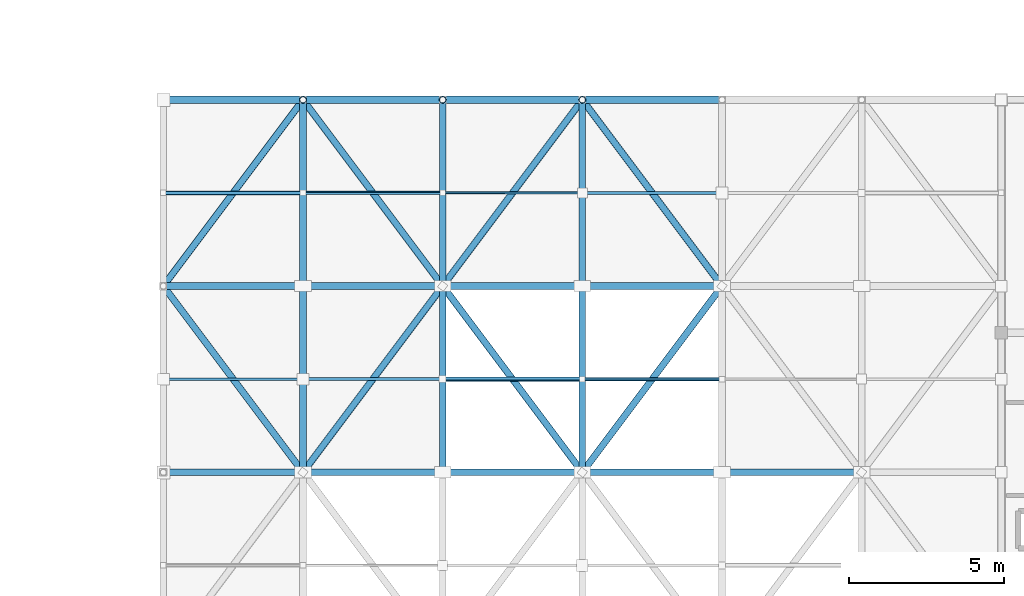
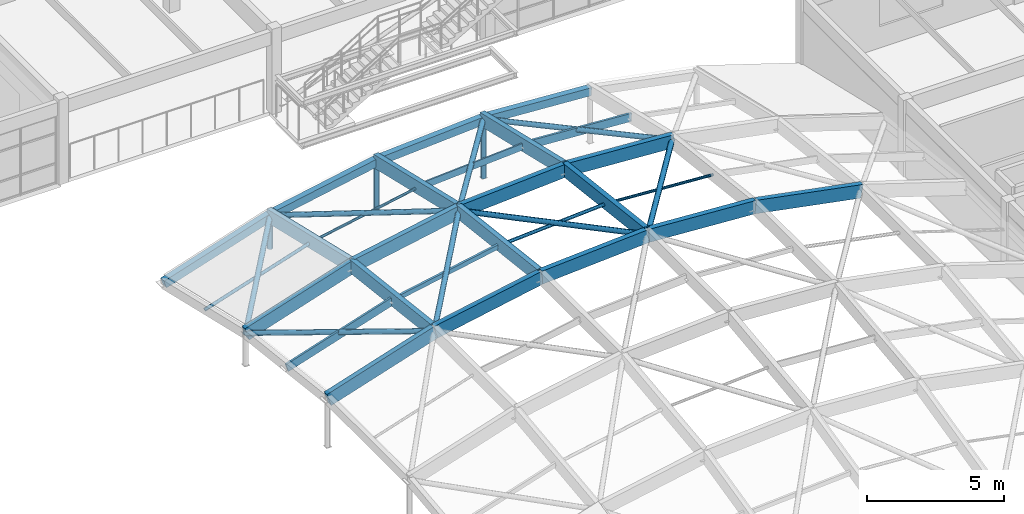
# One storey, part 17 of 81: 38 members.
"""IFC4 building model written with IfcOpenShell, lengths in metres."""

from ifc_helpers import new_model, si_unit, direction, frame, origin, origin_2d, place, context, subcontext, project, spatial, rectangle, hollow_rectangle, hollow_circle, extrude, material, material_profile, profile_set, type_object, element, save


model = new_model("IFC4")

# Units and contexts
model_context = context("Model", 3, precision=1e-05, world=origin(), true_north=direction((0.0, 1.0)))
body_context = subcontext(model_context, "Body", "Model", "MODEL_VIEW")
ifc_project = project(units=[si_unit("LENGTHUNIT", "METRE"), si_unit("AREAUNIT", "SQUARE_METRE"), si_unit("VOLUMEUNIT", "CUBIC_METRE"), si_unit("PLANEANGLEUNIT", "RADIAN"), si_unit("MASSUNIT", "GRAM", prefix="KILO")], contexts=[model_context])

# Site, building, storey
site_placement = place(None, origin())
site = spatial("IfcSite", under=ifc_project, at=site_placement, CompositionType="ELEMENT")
building_placement = place(site_placement, origin())
building = spatial("IfcBuilding", under=site, at=building_placement, Name="Marnridge Secondary College", CompositionType="ELEMENT")
storey_placement = place(building_placement, frame((0.0, 0.0, 8.5)))
storey = spatial("IfcBuildingStorey", under=building, at=storey_placement, Name="L02", CompositionType="ELEMENT", Elevation=8.5)

# Members
ifc_material_1 = material(Name="Cold-formed steel Grade C350L0 (AS/NZS 1163, fy = 350 MPa)", Category="steel")
ifc_material_profile_1 = material_profile(ifc_material_1, hollow_circle(Radius=0.109619140625, WallThickness=0.00830078125, at=origin_2d()), Name="219.1x8.2CHS")
ifc_profile_set_1 = profile_set([ifc_material_profile_1], Name="Cold-formed steel Grade C350L0 (AS/NZS 1163, fy = 350 MPa)")
member_type_1 = type_object("IfcMemberType", Name="MB-GS-CHS219", PredefinedType="BRACE", material=ifc_profile_set_1)
member_1_placement = place(storey_placement, frame((67.5, 30.0, -0.010009765625), z_axis=(0.0, 0.0, 1.0), x_axis=(1.0, 0.0, 0.0)))
element("IfcMember", 1, at=member_1_placement, inside=storey, type_object=member_type_1, Name="Gridshell boundary post GSP-0070", PredefinedType="BRACE", context=body_context, shape_type="SweptSolid", body=[
    extrude(hollow_circle(Radius=0.109619140625, WallThickness=0.00830078125, at=origin_2d()), origin(), (0.0, 0.0, 1.0), 1.474365234375),
])
member_2_placement = place(storey_placement, frame((72.0, 30.0, -0.010009765625), z_axis=(0.0, 0.0, 1.0), x_axis=(1.0, 0.0, 0.0)))
element("IfcMember", 2, at=member_2_placement, inside=storey, type_object=member_type_1, Name="Gridshell boundary post GSP-0072", PredefinedType="BRACE", context=body_context, shape_type="SweptSolid", body=[
    extrude(hollow_circle(Radius=0.109619140625, WallThickness=0.00830078125, at=origin_2d()), origin(), (0.0, 0.0, 1.0), 2.341064453125),
])
member_3_placement = place(storey_placement, frame((76.5, 30.0, -0.010009765625), z_axis=(0.0, 0.0, 1.0), x_axis=(1.0, 0.0, 0.0)))
element("IfcMember", 3, at=member_3_placement, inside=storey, type_object=member_type_1, Name="Gridshell boundary post GSP-0074", PredefinedType="BRACE", context=body_context, shape_type="SweptSolid", body=[
    extrude(hollow_circle(Radius=0.109619140625, WallThickness=0.00830078125, at=origin_2d()), origin(), (0.0, 0.0, 1.0), 2.630126953125),
])
member_4_placement = place(storey_placement, frame((67.5, 18.0, 3.556396484375), z_axis=(-0.576800867191, 0.769067822921, -0.275382358468), x_axis=(-0.8, -0.6, 0.0)))
element("IfcMember", 4, at=member_4_placement, inside=storey, type_object=member_type_1, Name="Gridshell member GR-0214", PredefinedType="BRACE", context=body_context, shape_type="SweptSolid", body=[
    extrude(hollow_circle(Radius=0.109619140625, WallThickness=0.00830078125, at=origin_2d()), origin(), (0.0, 0.0, 1.0), 7.8017578125),
])
member_5_placement = place(storey_placement, frame((63.0, 24.0, 1.407958984375), z_axis=(0.599992942617, 0.799990590156, 0.004850203366), x_axis=(-0.8, 0.6, 0.0)))
element("IfcMember", 5, at=member_5_placement, inside=storey, type_object=member_type_1, Name="Gridshell member GR-0215", PredefinedType="BRACE", context=body_context, shape_type="SweptSolid", body=[
    extrude(hollow_circle(Radius=0.109619140625, WallThickness=0.00830078125, at=origin_2d()), origin(), (0.0, 0.0, 1.0), 7.5),
])
member_6_placement = place(storey_placement, frame((67.5, 18.0, 3.556396484375), z_axis=(0.59985904703, 0.799812062707, 0.021674594473), x_axis=(-0.8, 0.6, 0.0)))
element("IfcMember", 6, at=member_6_placement, inside=storey, type_object=member_type_1, Name="Gridshell member GR-0219", PredefinedType="BRACE", context=body_context, shape_type="SweptSolid", body=[
    extrude(hollow_circle(Radius=0.109619140625, WallThickness=0.00830078125, at=origin_2d()), origin(), (0.0, 0.0, 1.0), 7.501708984375),
])
member_7_placement = place(storey_placement, frame((72.0, 24.0, 3.718994140625), z_axis=(-0.574173598669, 0.765564798225, -0.290233041384), x_axis=(-0.8, -0.6, 0.0)))
element("IfcMember", 7, at=member_7_placement, inside=storey, type_object=member_type_1, Name="Gridshell member GR-0220", PredefinedType="BRACE", context=body_context, shape_type="SweptSolid", body=[
    extrude(hollow_circle(Radius=0.109619140625, WallThickness=0.00830078125, at=origin_2d()), origin(), (0.0, 0.0, 1.0), 7.83740234375),
])
member_8_placement = place(storey_placement, frame((76.5, 18.0, 4.7119140625), z_axis=(-0.594810044375, 0.793080059166, -0.131244165065), x_axis=(-0.8, -0.6, 0.0)))
element("IfcMember", 8, at=member_8_placement, inside=storey, type_object=member_type_1, Name="Gridshell member GR-0224", PredefinedType="BRACE", context=body_context, shape_type="SweptSolid", body=[
    extrude(hollow_circle(Radius=0.109619140625, WallThickness=0.00830078125, at=origin_2d()), origin(), (0.0, 0.0, 1.0), 7.5654296875),
])
member_9_placement = place(storey_placement, frame((72.0, 24.0, 3.718994140625), z_axis=(0.593432470186, 0.791243293582, -0.147553223246), x_axis=(-0.8, 0.6, 0.0)))
element("IfcMember", 9, at=member_9_placement, inside=storey, type_object=member_type_1, Name="Gridshell member GR-0225", PredefinedType="BRACE", context=body_context, shape_type="SweptSolid", body=[
    extrude(hollow_circle(Radius=0.109619140625, WallThickness=0.00830078125, at=origin_2d()), origin(), (0.0, 0.0, 1.0), 7.5830078125),
])
member_10_placement = place(storey_placement, frame((76.5, 18.0, 4.7119140625), z_axis=(0.594810044375, 0.793080059166, -0.131244165065), x_axis=(-0.8, 0.6, 0.0)))
element("IfcMember", 10, at=member_10_placement, inside=storey, type_object=member_type_1, Name="Gridshell member GR-0229", PredefinedType="BRACE", context=body_context, shape_type="SweptSolid", body=[
    extrude(hollow_circle(Radius=0.109619140625, WallThickness=0.00830078125, at=origin_2d()), origin(), (0.0, 0.0, 1.0), 7.5654296875),
])
member_11_placement = place(storey_placement, frame((81.0, 24.0, 3.718994140625), z_axis=(-0.593432470186, 0.791243293582, -0.147553223246), x_axis=(-0.8, -0.6, 0.0)))
element("IfcMember", 11, at=member_11_placement, inside=storey, type_object=member_type_1, Name="Gridshell member GR-0230", PredefinedType="BRACE", context=body_context, shape_type="SweptSolid", body=[
    extrude(hollow_circle(Radius=0.109619140625, WallThickness=0.00830078125, at=origin_2d()), origin(), (0.0, 0.0, 1.0), 7.5830078125),
])
ifc_material_2 = material(Name="Glulam timber GL18", Category="wood")
ifc_material_profile_2 = material_profile(ifc_material_2, rectangle(XDim=0.215087890625, YDim=0.5849609375, at=origin_2d()), Name="GL18 215x585")
ifc_profile_set_2 = profile_set([ifc_material_profile_2], Name="Glulam timber GL18")
member_type_2 = type_object("IfcMemberType", Name="MB-GS-GL585", PredefinedType="CHORD", material=ifc_profile_set_2)
member_12_placement = place(storey_placement, frame((67.5, 18.0, 3.556396484375), z_axis=(0.0, 0.993184767812, -0.116550491145), x_axis=(-1.0, 0.0, 0.0)))
element("IfcMember", 12, at=member_12_placement, inside=storey, type_object=member_type_2, Name="Gridshell member GR-0148", PredefinedType="CHORD", context=body_context, shape_type="SweptSolid", body=[
    extrude(rectangle(XDim=0.215087890625, YDim=0.5849609375, at=origin_2d()), origin(), (0.0, 0.0, 1.0), 6.041259765625),
])
member_13_placement = place(storey_placement, frame((67.5, 24.0, 2.852294921875), z_axis=(0.0, 0.973554667504, -0.228454173482), x_axis=(-1.0, 0.0, 0.0)))
element("IfcMember", 13, at=member_13_placement, inside=storey, type_object=member_type_2, Name="Gridshell member GR-0149", PredefinedType="CHORD", context=body_context, shape_type="SweptSolid", body=[
    extrude(rectangle(XDim=0.215087890625, YDim=0.5849609375, at=origin_2d()), origin(), (0.0, 0.0, 1.0), 6.1630859375),
])
member_14_placement = place(storey_placement, frame((72.0, 18.0, 4.423095703125), z_axis=(0.0, 0.993184767812, -0.116550491145), x_axis=(-1.0, 0.0, 0.0)))
element("IfcMember", 14, at=member_14_placement, inside=storey, type_object=member_type_2, Name="Gridshell member GR-0153", PredefinedType="CHORD", context=body_context, shape_type="SweptSolid", body=[
    extrude(rectangle(XDim=0.215087890625, YDim=0.5849609375, at=origin_2d()), origin(), (0.0, 0.0, 1.0), 6.041259765625),
])
member_15_placement = place(storey_placement, frame((72.0, 24.0, 3.718994140625), z_axis=(0.0, 0.973554667504, -0.228454173482), x_axis=(-1.0, 0.0, 0.0)))
element("IfcMember", 15, at=member_15_placement, inside=storey, type_object=member_type_2, Name="Gridshell member GR-0154", PredefinedType="CHORD", context=body_context, shape_type="SweptSolid", body=[
    extrude(rectangle(XDim=0.215087890625, YDim=0.5849609375, at=origin_2d()), origin(), (0.0, 0.0, 1.0), 6.1630859375),
])
member_16_placement = place(storey_placement, frame((76.5, 18.0, 4.7119140625), z_axis=(0.0, 0.993189445064, -0.116510627039), x_axis=(-1.0, 0.0, 0.0)))
element("IfcMember", 16, at=member_16_placement, inside=storey, type_object=member_type_2, Name="Gridshell member GR-0158", PredefinedType="CHORD", context=body_context, shape_type="SweptSolid", body=[
    extrude(rectangle(XDim=0.215087890625, YDim=0.5849609375, at=origin_2d()), origin(), (0.0, 0.0, 1.0), 6.041259765625),
])
member_17_placement = place(storey_placement, frame((76.5, 24.0, 4.008056640625), z_axis=(0.0, 0.973554667504, -0.228454173482), x_axis=(-1.0, 0.0, 0.0)))
element("IfcMember", 17, at=member_17_placement, inside=storey, type_object=member_type_2, Name="Gridshell member GR-0159", PredefinedType="CHORD", context=body_context, shape_type="SweptSolid", body=[
    extrude(rectangle(XDim=0.215087890625, YDim=0.5849609375, at=origin_2d()), origin(), (0.0, 0.0, 1.0), 6.1630859375),
])
member_18_placement = place(storey_placement, frame((63.0, 18.0, 2.112060546875), z_axis=(0.952157472021, 0.0, 0.305607834444), x_axis=(0.0, 1.0, 0.0)))
element("IfcMember", 18, at=member_18_placement, inside=storey, type_object=member_type_2, Name="Gridshell member GR-0193", PredefinedType="CHORD", context=body_context, shape_type="SweptSolid", body=[
    extrude(rectangle(XDim=0.215087890625, YDim=0.5849609375, at=origin_2d()), origin(), (0.0, 0.0, 1.0), 4.72607421875),
])
member_19_placement = place(storey_placement, frame((67.5, 18.0, 3.556396484375), z_axis=(0.981953209644, 0.0, 0.189124017699), x_axis=(0.0, 1.0, 0.0)))
element("IfcMember", 19, at=member_19_placement, inside=storey, type_object=member_type_2, Name="Gridshell member GR-0194", PredefinedType="CHORD", context=body_context, shape_type="SweptSolid", body=[
    extrude(rectangle(XDim=0.215087890625, YDim=0.5849609375, at=origin_2d()), origin(), (0.0, 0.0, 1.0), 4.582763671875),
])
for number, where, z_axis, x_axis, name in (
    (20, (72.0, 18.0, 4.423095703125), (0.997946686081, 0.0, 0.064050072137), (0.0, 1.0, 0.0), "Gridshell member GR-0195"),
    (21, (76.5, 18.0, 4.7119140625), (0.997946686081, 0.0, -0.064050072137), (0.0, 1.0, 0.0), "Gridshell member GR-0196"),
):
    element("IfcMember", number, at=place(storey_placement, frame(where, z_axis=z_axis, x_axis=x_axis)), inside=storey, type_object=member_type_2, Name=name, PredefinedType="CHORD", context=body_context, shape_type="SweptSolid", body=[
        extrude(rectangle(XDim=0.215087890625, YDim=0.5849609375, at=origin_2d()), origin(), (0.0, 0.0, 1.0), 4.50927734375),
    ])
member_20_placement = place(storey_placement, frame((81.0, 18.0, 4.423095703125), z_axis=(0.981953209644, 0.0, -0.189124017699), x_axis=(0.0, 1.0, 0.0)))
element("IfcMember", 22, at=member_20_placement, inside=storey, type_object=member_type_2, Name="Gridshell member GR-0197", PredefinedType="CHORD", context=body_context, shape_type="SweptSolid", body=[
    extrude(rectangle(XDim=0.215087890625, YDim=0.5849609375, at=origin_2d()), origin(), (0.0, 0.0, 1.0), 4.582763671875),
])
member_21_placement = place(storey_placement, frame((63.0, 24.0, 1.407958984375), z_axis=(0.952157472021, 0.0, 0.305607834444), x_axis=(0.0, 1.0, 0.0)))
element("IfcMember", 23, at=member_21_placement, inside=storey, type_object=member_type_2, Name="Gridshell member GR-0199", PredefinedType="CHORD", context=body_context, shape_type="SweptSolid", body=[
    extrude(rectangle(XDim=0.215087890625, YDim=0.5849609375, at=origin_2d()), origin(), (0.0, 0.0, 1.0), 4.72607421875),
])
member_22_placement = place(storey_placement, frame((67.5, 24.0, 2.852294921875), z_axis=(0.981953209644, 0.0, 0.189124017699), x_axis=(0.0, 1.0, 0.0)))
element("IfcMember", 24, at=member_22_placement, inside=storey, type_object=member_type_2, Name="Gridshell member GR-0200", PredefinedType="CHORD", context=body_context, shape_type="SweptSolid", body=[
    extrude(rectangle(XDim=0.215087890625, YDim=0.5849609375, at=origin_2d()), origin(), (0.0, 0.0, 1.0), 4.582763671875),
])
for number, where, z_axis, x_axis, name in (
    (25, (72.0, 24.0, 3.718994140625), (0.997943223953, 0.0, 0.064103991816), (0.0, 1.0, 0.0), "Gridshell member GR-0201"),
    (26, (76.5, 24.0, 4.008056640625), (0.997943223953, 0.0, -0.064103991816), (0.0, 1.0, 0.0), "Gridshell member GR-0202"),
):
    element("IfcMember", number, at=place(storey_placement, frame(where, z_axis=z_axis, x_axis=x_axis)), inside=storey, type_object=member_type_2, Name=name, PredefinedType="CHORD", context=body_context, shape_type="SweptSolid", body=[
        extrude(rectangle(XDim=0.215087890625, YDim=0.5849609375, at=origin_2d()), origin(), (0.0, 0.0, 1.0), 4.50927734375),
    ])
ifc_material_3 = material(Name="Cold-formed steel Grade C350L0 (AS/NZS 1163, fy = 350 MPa)", Category="steel")
ifc_material_profile_3 = material_profile(ifc_material_3, hollow_rectangle(XDim=0.25, YDim=0.35009765625, WallThickness=0.010009765625, at=origin_2d()), Name="350x250x10.0RHS")
ifc_profile_set_3 = profile_set([ifc_material_profile_3], Name="Cold-formed steel Grade C350L0 (AS/NZS 1163, fy = 350 MPa)")
member_type_3 = type_object("IfcMemberType", Name="MB-GS-RHS350", PredefinedType="CHORD", material=ifc_profile_set_3)
member_23_placement = place(storey_placement, frame((63.0, 30.0, 0.0), z_axis=(0.952157472021, 0.0, 0.305607834444), x_axis=(0.0, 1.0, 0.0)))
element("IfcMember", 27, at=member_23_placement, inside=storey, type_object=member_type_3, Name="Gridshell member GR-0205", PredefinedType="CHORD", context=body_context, shape_type="SweptSolid", body=[
    extrude(hollow_rectangle(XDim=0.25, YDim=0.35009765625, WallThickness=0.010009765625, at=origin_2d()), origin(), (0.0, 0.0, 1.0), 4.72607421875),
])
member_24_placement = place(storey_placement, frame((67.5, 30.0, 1.4443359375), z_axis=(0.981953209644, 0.0, 0.189124017699), x_axis=(0.0, 1.0, 0.0)))
element("IfcMember", 28, at=member_24_placement, inside=storey, type_object=member_type_3, Name="Gridshell member GR-0206", PredefinedType="CHORD", context=body_context, shape_type="SweptSolid", body=[
    extrude(hollow_rectangle(XDim=0.25, YDim=0.35009765625, WallThickness=0.010009765625, at=origin_2d()), origin(), (0.0, 0.0, 1.0), 4.582763671875),
])
for number, where, z_axis, x_axis, name in (
    (29, (72.0, 30.0, 2.31103515625), (0.997943223953, 0.0, 0.064103991816), (0.0, 1.0, 0.0), "Gridshell member GR-0207"),
    (30, (76.5, 30.0, 2.60009765625), (0.997943223953, 0.0, -0.064103991816), (0.0, 1.0, 0.0), "Gridshell member GR-0208"),
):
    element("IfcMember", number, at=place(storey_placement, frame(where, z_axis=z_axis, x_axis=x_axis)), inside=storey, type_object=member_type_3, Name=name, PredefinedType="CHORD", context=body_context, shape_type="SweptSolid", body=[
        extrude(hollow_rectangle(XDim=0.25, YDim=0.35009765625, WallThickness=0.010009765625, at=origin_2d()), origin(), (0.0, 0.0, 1.0), 4.50927734375),
    ])
ifc_material_4 = material(Name="Cold-formed steel Grade C350L0 (AS/NZS 1163, fy = 350 MPa)", Category="steel")
ifc_material_profile_4 = material_profile(ifc_material_4, hollow_circle(Radius=0.05712890625, WallThickness=0.00439453125, at=origin_2d()), Name="114.3x4.5CHS")
ifc_profile_set_4 = profile_set([ifc_material_profile_4], Name="Cold-formed steel Grade C350L0 (AS/NZS 1163, fy = 350 MPa)")
member_type_4 = type_object("IfcMemberType", Name="MB-PR-CHS114", PredefinedType="PURLIN", material=ifc_profile_set_4)
member_25_placement = place(storey_placement, frame((67.5, 27.0, 2.068359375), z_axis=(0.981953209644, 0.0, 0.189124017699), x_axis=(0.0, 1.0, 0.0)))
element("IfcMember", 31, at=member_25_placement, inside=storey, type_object=member_type_4, Name="Gridshell purlin PR-0088", PredefinedType="PURLIN", context=body_context, shape_type="SweptSolid", body=[
    extrude(hollow_circle(Radius=0.05712890625, WallThickness=0.00439453125, at=origin_2d()), origin(), (0.0, 0.0, 1.0), 4.582763671875),
])
member_26_placement = place(storey_placement, frame((76.5, 21.0, 4.280029296875), z_axis=(0.997946686081, 0.0, -0.064050072137), x_axis=(0.0, 1.0, 0.0)))
element("IfcMember", 32, at=member_26_placement, inside=storey, type_object=member_type_4, Name="Gridshell purlin PR-0097", PredefinedType="PURLIN", context=body_context, shape_type="SweptSolid", body=[
    extrude(hollow_circle(Radius=0.05712890625, WallThickness=0.00439453125, at=origin_2d()), origin(), (0.0, 0.0, 1.0), 4.50927734375),
])
ifc_material_5 = material(Name="Cold-formed steel Grade C350L0 (AS/NZS 1163, fy = 350 MPa)", Category="steel")
ifc_material_profile_5 = material_profile(ifc_material_5, hollow_circle(Radius=0.06982421875, WallThickness=0.00537109375, at=origin_2d()), Name="139.7x5.4CHS")
ifc_profile_set_5 = profile_set([ifc_material_profile_5], Name="Cold-formed steel Grade C350L0 (AS/NZS 1163, fy = 350 MPa)")
member_type_5 = type_object("IfcMemberType", Name="MB-PR-CHS139", PredefinedType="PURLIN", material=ifc_profile_set_5)
member_27_placement = place(storey_placement, frame((63.0, 27.0, 0.6240234375), z_axis=(0.952157472021, 0.0, 0.305607834444), x_axis=(0.0, 1.0, 0.0)))
element("IfcMember", 33, at=member_27_placement, inside=storey, type_object=member_type_5, Name="Gridshell purlin PR-0083", PredefinedType="PURLIN", context=body_context, shape_type="SweptSolid", body=[
    extrude(hollow_circle(Radius=0.06982421875, WallThickness=0.00537109375, at=origin_2d()), origin(), (0.0, 0.0, 1.0), 4.72607421875),
])
member_28_placement = place(storey_placement, frame((72.0, 21.0, 3.9912109375), z_axis=(0.997946686081, 0.0, 0.064050072137), x_axis=(0.0, 1.0, 0.0)))
element("IfcMember", 34, at=member_28_placement, inside=storey, type_object=member_type_5, Name="Gridshell purlin PR-0092", PredefinedType="PURLIN", context=body_context, shape_type="SweptSolid", body=[
    extrude(hollow_circle(Radius=0.06982421875, WallThickness=0.00537109375, at=origin_2d()), origin(), (0.0, 0.0, 1.0), 4.50927734375),
])
ifc_material_6 = material(Name="Engineered timber LVL E13.2", Category="wood")
ifc_material_profile_6 = material_profile(ifc_material_6, rectangle(XDim=0.06298828125, YDim=0.300048828125, at=origin_2d()), Name="LVL 63x300")
ifc_profile_set_6 = profile_set([ifc_material_profile_6], Name="Engineered timber LVL E13.2")
member_type_6 = type_object("IfcMemberType", Name="MB-PR-LVL300", PredefinedType="PURLIN", material=ifc_profile_set_6)
member_29_placement = place(storey_placement, frame((72.0, 27.0, 2.93505859375), z_axis=(0.997943223953, 0.0, 0.064103991816), x_axis=(0.0, 1.0, 0.0)))
element("IfcMember", 35, at=member_29_placement, inside=storey, type_object=member_type_6, Name="Gridshell purlin PR-0093", PredefinedType="PURLIN", context=body_context, shape_type="SweptSolid", body=[
    extrude(rectangle(XDim=0.06298828125, YDim=0.300048828125, at=origin_2d()), origin(), (0.0, 0.0, 1.0), 4.50927734375),
])
ifc_material_7 = material(Name="Engineered timber LVL E13.2", Category="wood")
ifc_material_profile_7 = material_profile(ifc_material_7, rectangle(XDim=0.090087890625, YDim=0.360107421875, at=origin_2d()), Name="LVL 90x360")
ifc_profile_set_7 = profile_set([ifc_material_profile_7], Name="Engineered timber LVL E13.2")
member_type_7 = type_object("IfcMemberType", Name="MB-PR-LVL360", PredefinedType="PURLIN", material=ifc_profile_set_7)
member_30_placement = place(storey_placement, frame((63.0, 21.0, 1.679931640625), z_axis=(0.952142439356, 0.0, 0.30565466654), x_axis=(0.0, 1.0, 0.0)))
element("IfcMember", 36, at=member_30_placement, inside=storey, type_object=member_type_7, Name="Gridshell purlin PR-0082", PredefinedType="PURLIN", context=body_context, shape_type="SweptSolid", body=[
    extrude(rectangle(XDim=0.090087890625, YDim=0.360107421875, at=origin_2d()), origin(), (0.0, 0.0, 1.0), 4.72607421875),
])
member_31_placement = place(storey_placement, frame((76.5, 27.0, 3.22412109375), z_axis=(0.997943223953, 0.0, -0.064103991816), x_axis=(0.0, 1.0, 0.0)))
element("IfcMember", 37, at=member_31_placement, inside=storey, type_object=member_type_7, Name="Gridshell purlin PR-0098", PredefinedType="PURLIN", context=body_context, shape_type="SweptSolid", body=[
    extrude(rectangle(XDim=0.090087890625, YDim=0.360107421875, at=origin_2d()), origin(), (0.0, 0.0, 1.0), 4.50927734375),
])
ifc_material_8 = material(Name="Cold-formed steel Grade C350L0 (AS/NZS 1163, fy = 350 MPa)", Category="steel")
ifc_material_profile_8 = material_profile(ifc_material_8, hollow_rectangle(XDim=0.10009765625, YDim=0.199951171875, WallThickness=0.006103515625, at=origin_2d()), Name="200x100x6.0RHS")
ifc_profile_set_8 = profile_set([ifc_material_profile_8], Name="Cold-formed steel Grade C350L0 (AS/NZS 1163, fy = 350 MPa)")
member_type_8 = type_object("IfcMemberType", Name="MB-PR-RHS200", PredefinedType="PURLIN", material=ifc_profile_set_8)
member_32_placement = place(storey_placement, frame((67.5, 21.0, 3.12451171875), z_axis=(0.981953209644, 0.0, 0.189124017699), x_axis=(0.0, 1.0, 0.0)))
element("IfcMember", 38, at=member_32_placement, inside=storey, type_object=member_type_8, Name="Gridshell purlin PR-0087", PredefinedType="PURLIN", context=body_context, shape_type="SweptSolid", body=[
    extrude(hollow_rectangle(XDim=0.10009765625, YDim=0.199951171875, WallThickness=0.006103515625, at=origin_2d()), origin(), (0.0, 0.0, 1.0), 4.582763671875),
])

save(model, "model.ifc")
